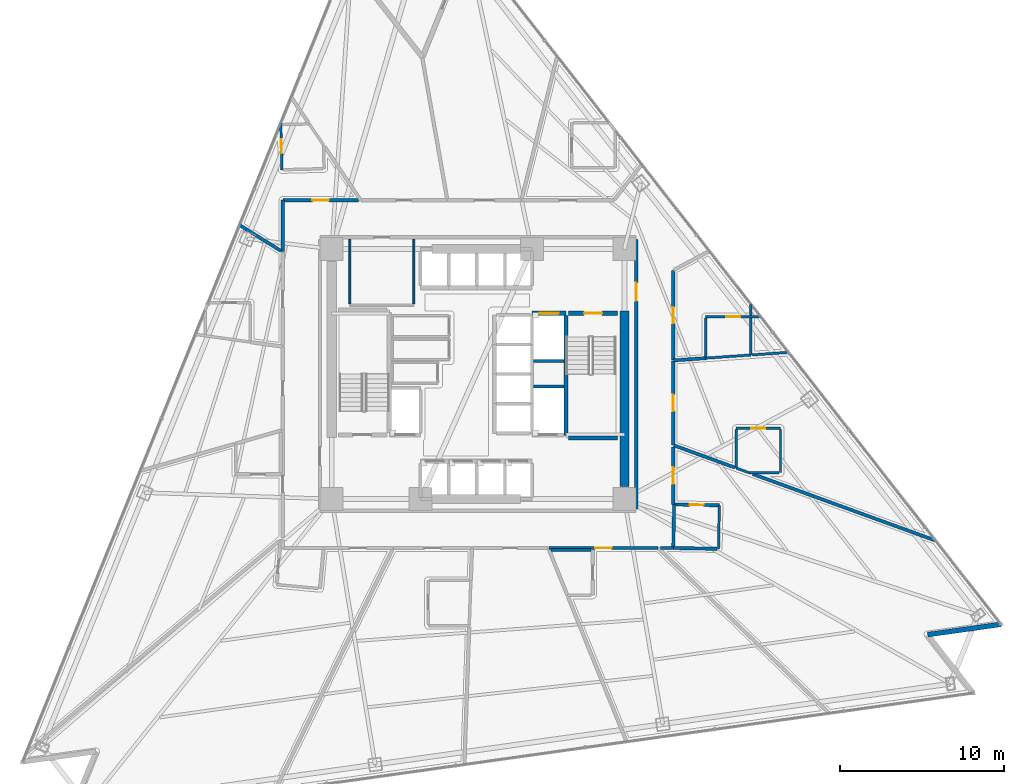
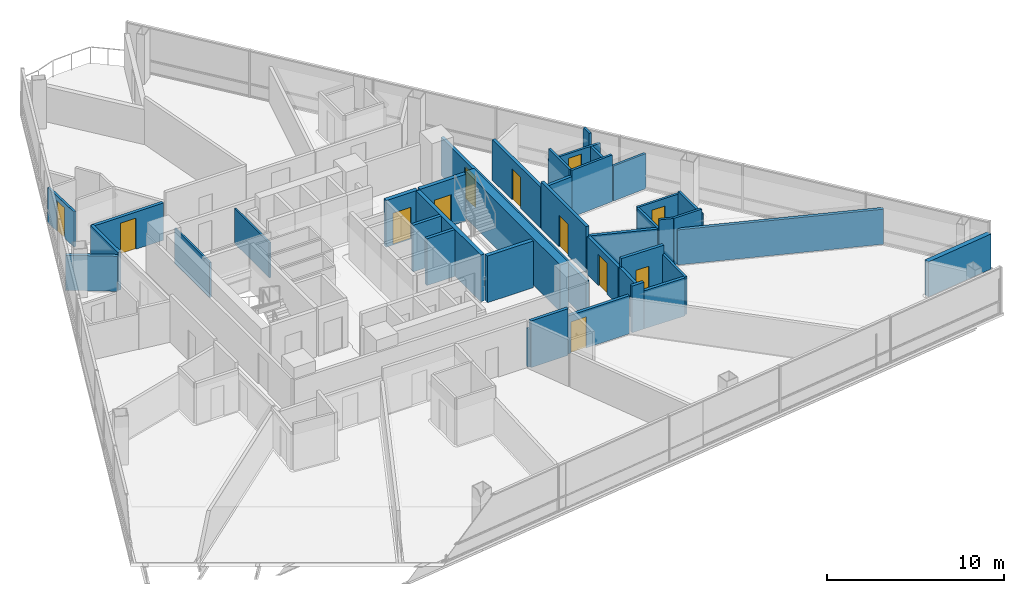
# One storey, part 9 of 15: 39 walls, 12 doors, 12 openings.
"""IFC4 building model written with IfcOpenShell, lengths in metres."""

from ifc_helpers import new_model, si_unit, direction, frame, frame_2d, origin, place, context, subcontext, project, spatial, rectangle, extrude, material, layer, layer_set, type_object, element, fill, save


model = new_model("IFC4")

# Units and contexts
model_context = context("Model", 3, precision=1e-05, world=origin(), true_north=direction((0.0, 1.0)))
body_context = subcontext(model_context, "Body", "Model", "MODEL_VIEW")
ifc_project = project(units=[si_unit("LENGTHUNIT", "METRE"), si_unit("AREAUNIT", "SQUARE_METRE"), si_unit("VOLUMEUNIT", "CUBIC_METRE"), si_unit("PLANEANGLEUNIT", "RADIAN"), si_unit("MASSUNIT", "GRAM", prefix="KILO")], contexts=[model_context])

# Site, building, storey
site_placement = place(None, origin())
site = spatial("IfcSite", under=ifc_project, at=site_placement, CompositionType="ELEMENT")
building_placement = place(site_placement, origin())
building = spatial("IfcBuilding", under=site, at=building_placement, Name="Tharavind Bronze Gate", CompositionType="ELEMENT")
storey_placement = place(building_placement, frame((0.0, 0.0, 60.449951171875)))
storey = spatial("IfcBuildingStorey", under=building, at=storey_placement, Name="L14", CompositionType="ELEMENT", Elevation=60.449951171875)

# Wall
ifc_material_1 = material(Name="Concrete C40/50", Category="concrete")
ifc_layer_1 = layer(ifc_material_1, 0.300048828125)
ifc_layer_set_1 = layer_set([ifc_layer_1], Name="Concrete C40/50")
wall_type_1 = type_object("IfcWallType", Name="EXTERIOR SPANDREL WALL 300", PredefinedType="STANDARD", material=ifc_layer_set_1)
wall_1_placement = place(storey_placement, frame((27.357421875, -15.85302734375, 0.0), z_axis=(0.0, 0.0, 1.0), x_axis=(0.990269200152, 0.139165050317, 0.0)))
element("IfcWall", 1, at=wall_1_placement, inside=storey, type_object=wall_type_1, Name="L14 notch cheek wall 3B", PredefinedType="STANDARD", context=body_context, shape_type="SweptSolid", body=[
    extrude(rectangle(XDim=4.499755859375, YDim=0.300048828125, at=frame_2d((2.25, 0.0))), origin(), (0.0, 0.0, 1.0), 2.420166015625),
])

# Wall, opening, door
ifc_material_2 = material(Name="Aerated Concrete Block", Category="concrete")
ifc_layer_2 = layer(ifc_material_2, 0.199951171875)
ifc_layer_set_2 = layer_set([ifc_layer_2], Name="Aerated Concrete Block")
wall_type_2 = type_object("IfcWallType", Name="FIRE RATED PARTITION 200", PredefinedType="PARTITIONING", material=ifc_layer_set_2)
wall_2_placement = place(storey_placement, frame((9.6201171875, -8.199951171875, 0.0), z_axis=(0.0, 0.0, 1.0), x_axis=(0.0, 1.0, 0.0)))
wall_2 = element("IfcWall", 2, at=wall_2_placement, inside=storey, type_object=wall_type_2, Name="L14 east core corridor wall", PredefinedType="PARTITIONING", context=body_context, shape_type="SweptSolid", body=[
    extrude(rectangle(XDim=16.39990234375, YDim=0.199951171875, at=frame_2d((8.199951171875, 0.0))), origin(), (0.0, 0.0, 1.0), 2.6201171875),
])
opening_1_placement = place(wall_2_placement, frame((12.64990234375, 0.0, 0.0)))
opening_1 = element("IfcOpeningElement", 3, at=opening_1_placement, cuts=wall_2, Name="Opening ID01", PredefinedType="OPENING", context=body_context, shape_type="SweptSolid", body=[
    extrude(rectangle(XDim=1.10009765625, YDim=2.14990234375, at=frame_2d((0.550048828125, 1.074951171875))), frame((0.0, 0.11009765625, 0.0), z_axis=(0.0, -1.0, 0.0), x_axis=(1.0, 0.0, 0.0)), (0.0, 0.0, 1.0), 0.219951171875),
])
ifc_material_3 = material(Name="Fire-Rated Steel", Category="steel")
door_type_1 = type_object("IfcDoorType", Name="STAIR CORE FIRE DOOR 1100X2150", OperationType="SINGLE_SWING_LEFT", PredefinedType="DOOR", material=ifc_material_3)
door_1_placement = place(opening_1_placement, frame((1.10009765625, 0.0, 0.0), z_axis=(0.0, 0.0, 1.0), x_axis=(-1.0, 0.0, 0.0)))
door_1 = element("IfcDoor", 4, at=door_1_placement, inside=storey, type_object=door_type_1, Name="L14 north east stair lobby fire door", OperationType="SINGLE_SWING_LEFT", OverallHeight=2.14990234375, OverallWidth=1.10009765625, PredefinedType="DOOR", context=body_context, shape_type="SweptSolid", body=[
    extrude(rectangle(XDim=1.10009765625, YDim=2.14990234375, at=frame_2d((0.550048828125, 1.074951171875))), frame((0.0, 0.02490234375, 0.0), z_axis=(0.0, -1.0, 0.0), x_axis=(1.0, 0.0, 0.0)), (0.0, 0.0, 1.0), 0.050048828125),
])
fill(opening_1, door_1)

# Wall
wall_3_placement = place(storey_placement, frame((4.436279296875, -10.699951171875, 0.0), z_axis=(0.0, 0.0, 1.0), x_axis=(1.0, 0.0, 0.0)))
element("IfcWall", 5, at=wall_3_placement, inside=storey, type_object=wall_type_2, Name="L14 En-Suite Bathroom partition", PredefinedType="PARTITIONING", context=body_context, shape_type="SweptSolid", body=[
    extrude(rectangle(XDim=2.431884765625, YDim=0.199951171875, at=frame_2d((1.2158203125, 0.0))), origin(), (0.0, 0.0, 1.0), 3.22509765625),
])

# Wall, opening, door
wall_4_placement = place(storey_placement, frame((11.93115234375, -7.930419921875, 0.0), z_axis=(0.0, 0.0, 1.0), x_axis=(0.999812703389, -0.019353504647, 0.0)))
wall_4 = element("IfcWall", 6, at=wall_4_placement, inside=storey, type_object=wall_type_2, Name="L14 En-Suite Bathroom partition", PredefinedType="PARTITIONING", context=body_context, shape_type="SweptSolid", body=[
    extrude(rectangle(XDim=2.75, YDim=0.199951171875, at=frame_2d((1.375, 0.0))), origin(), (0.0, 0.0, 1.0), 3.22509765625),
])
opening_2_placement = place(wall_4_placement, frame((0.949951171875, 0.0, 0.0)))
opening_2 = element("IfcOpeningElement", 7, at=opening_2_placement, cuts=wall_4, Name="Opening ID06", PredefinedType="OPENING", context=body_context, shape_type="SweptSolid", body=[
    extrude(rectangle(XDim=0.85009765625, YDim=2.10009765625, at=frame_2d((0.425048828125, 1.050048828125))), frame((0.0, 0.11009765625, 0.0), z_axis=(0.0, -1.0, 0.0), x_axis=(1.0, 0.0, 0.0)), (0.0, 0.0, 1.0), 0.219951171875),
])
ifc_material_4 = material(Name="Moisture-Resistant Timber", Category="wood")
door_type_2 = type_object("IfcDoorType", Name="BATHROOM PRIVACY DOOR 850X2100", OperationType="SINGLE_SWING_RIGHT", PredefinedType="DOOR", material=ifc_material_4)
door_2_placement = place(opening_2_placement, origin())
door_2 = element("IfcDoor", 8, at=door_2_placement, inside=storey, type_object=door_type_2, Name="L14 En-Suite Bathroom door", OperationType="SINGLE_SWING_RIGHT", OverallHeight=2.10009765625, OverallWidth=0.85009765625, PredefinedType="DOOR", context=body_context, shape_type="SweptSolid", body=[
    extrude(rectangle(XDim=0.85009765625, YDim=2.10009765625, at=frame_2d((0.425048828125, 1.050048828125))), frame((0.0, 0.02490234375, 0.0), z_axis=(0.0, -1.0, 0.0), x_axis=(1.0, 0.0, 0.0)), (0.0, 0.0, 1.0), 0.050048828125),
])
fill(opening_2, door_2)

# Walls
wall_5_placement = place(storey_placement, frame((14.549560546875, -10.631591796875, 0.0), z_axis=(0.0, 0.0, 1.0), x_axis=(-0.999813887268, 0.019292247848, 0.0)))
element("IfcWall", 9, at=wall_5_placement, inside=storey, type_object=wall_type_2, Name="L14 En-Suite Bathroom partition", PredefinedType="PARTITIONING", context=body_context, shape_type="SweptSolid", body=[
    extrude(rectangle(XDim=2.670166015625, YDim=0.199951171875, at=frame_2d((1.3349609375, 0.0))), origin(), (0.0, 0.0, 1.0), 2.6201171875),
])
wall_6_placement = place(storey_placement, frame((11.8798828125, -10.57861328125, 0.0), z_axis=(0.0, 0.0, 1.0), x_axis=(0.019356564513, 0.999812644154, 0.0)))
element("IfcWall", 10, at=wall_6_placement, inside=storey, type_object=wall_type_2, Name="L14 En-Suite Bathroom partition", PredefinedType="PARTITIONING", context=body_context, shape_type="SweptSolid", body=[
    extrude(rectangle(XDim=2.648681640625, YDim=0.199951171875, at=frame_2d((1.32421875, 0.0))), origin(), (0.0, 0.0, 1.0), 2.6201171875),
])
wall_7_placement = place(storey_placement, frame((13.85009765625, 0.968505859375, 0.0), z_axis=(0.0, 0.0, 1.0), x_axis=(-0.997560712778, -0.069804185555, 0.0)))
element("IfcWall", 11, at=wall_7_placement, inside=storey, type_object=wall_type_2, Name="L14 Royal Hotel Suite partition", PredefinedType="PARTITIONING", context=body_context, shape_type="SweptSolid", body=[
    extrude(rectangle(XDim=1.947998046875, YDim=0.199951171875, at=frame_2d((0.97412109375, 0.0))), origin(), (0.0, 0.0, 1.0), 2.820068359375),
])

# Wall, opening, door
wall_8_placement = place(storey_placement, frame((11.8798828125, 0.857421875, 0.0), z_axis=(0.0, 0.0, 1.0), x_axis=(0.0, 1.0, 0.0)))
wall_8 = element("IfcWall", 12, at=wall_8_placement, inside=storey, type_object=wall_type_2, Name="L14 Royal Hotel Suite partition", PredefinedType="PARTITIONING", context=body_context, shape_type="SweptSolid", body=[
    extrude(rectangle(XDim=5.4443359375, YDim=0.199951171875, at=frame_2d((2.72216796875, 0.0))), origin(), (0.0, 0.0, 1.0), 2.820068359375),
])
opening_3_placement = place(wall_8_placement, frame((2.221923828125, 0.0, 0.0)))
opening_3 = element("IfcOpeningElement", 13, at=opening_3_placement, cuts=wall_8, Name="Opening ID03", PredefinedType="OPENING", context=body_context, shape_type="SweptSolid", body=[
    extrude(rectangle(XDim=1.0, YDim=2.14990234375, at=frame_2d((0.5, 1.074951171875))), frame((0.0, 0.11009765625, 0.0), z_axis=(0.0, -1.0, 0.0), x_axis=(1.0, 0.0, 0.0)), (0.0, 0.0, 1.0), 0.219951171875),
])
ifc_material_5 = material(Name="Solid Timber Veneer", Category="wood")
door_type_3 = type_object("IfcDoorType", Name="HOTEL SUITE ENTRANCE DOOR 1000X2150", OperationType="SINGLE_SWING_LEFT", PredefinedType="DOOR", material=ifc_material_5)
door_3_placement = place(opening_3_placement, origin())
door_3 = element("IfcDoor", 14, at=door_3_placement, inside=storey, type_object=door_type_3, Name="L14 Royal Hotel Suite door", OperationType="SINGLE_SWING_LEFT", OverallHeight=2.14990234375, OverallWidth=1.0, PredefinedType="DOOR", context=body_context, shape_type="SweptSolid", body=[
    extrude(rectangle(XDim=1.0, YDim=2.14990234375, at=frame_2d((0.5, 1.074951171875))), frame((0.0, 0.02490234375, 0.0), z_axis=(0.0, -1.0, 0.0), x_axis=(1.0, 0.0, 0.0)), (0.0, 0.0, 1.0), 0.050048828125),
])
fill(opening_3, door_3)

# Walls
wall_9_placement = place(storey_placement, frame((-11.8798828125, 10.579345703125, 0.0), z_axis=(0.0, 0.0, 1.0), x_axis=(0.0, -1.0, 0.0)))
element("IfcWall", 15, at=wall_9_placement, inside=storey, type_object=wall_type_2, Name="L14 Hotel Guest Room partition", PredefinedType="PARTITIONING", context=body_context, shape_type="SweptSolid", body=[
    extrude(rectangle(XDim=3.11083984375, YDim=0.199951171875, at=frame_2d((1.555419921875, 0.0))), origin(), (0.0, 0.0, 1.0), 2.6201171875),
])
wall_10_placement = place(storey_placement, frame((-11.985107421875, 7.489013671875, 0.0), z_axis=(0.0, 0.0, 1.0), x_axis=(-0.84801684821, 0.52996926812, 0.0)))
element("IfcWall", 16, at=wall_10_placement, inside=storey, type_object=wall_type_2, Name="L14 Hotel Guest Room partition", PredefinedType="PARTITIONING", context=body_context, shape_type="SweptSolid", body=[
    extrude(rectangle(XDim=2.95849609375, YDim=0.199951171875, at=frame_2d((1.479248046875, 0.0))), origin(), (0.0, 0.0, 1.0), 2.420166015625),
])

# Wall, opening, door
wall_11_placement = place(storey_placement, frame((-7.262939453125, 10.580078125, 0.0), z_axis=(0.0, 0.0, 1.0), x_axis=(-1.0, 0.0, 0.0)))
wall_11 = element("IfcWall", 17, at=wall_11_placement, inside=storey, type_object=wall_type_2, Name="L14 Hotel Guest Room partition", PredefinedType="PARTITIONING", context=body_context, shape_type="SweptSolid", body=[
    extrude(rectangle(XDim=4.616455078125, YDim=0.199951171875, at=frame_2d((2.30810546875, 0.0))), origin(), (0.0, 0.0, 1.0), 2.570068359375),
])
opening_4_placement = place(wall_11_placement, frame((1.80810546875, 0.0, 0.0)))
opening_4 = element("IfcOpeningElement", 18, at=opening_4_placement, cuts=wall_11, Name="Opening ID03", PredefinedType="OPENING", context=body_context, shape_type="SweptSolid", body=[
    extrude(rectangle(XDim=1.0, YDim=2.14990234375, at=frame_2d((0.5, 1.074951171875))), frame((0.0, 0.11009765625, 0.0), z_axis=(0.0, -1.0, 0.0), x_axis=(1.0, 0.0, 0.0)), (0.0, 0.0, 1.0), 0.219951171875),
])
door_4_placement = place(opening_4_placement, origin())
door_4 = element("IfcDoor", 19, at=door_4_placement, inside=storey, type_object=door_type_3, Name="L14 Hotel Guest Room door", OperationType="SINGLE_SWING_LEFT", OverallHeight=2.14990234375, OverallWidth=1.0, PredefinedType="DOOR", context=body_context, shape_type="SweptSolid", body=[
    extrude(rectangle(XDim=1.0, YDim=2.14990234375, at=frame_2d((0.5, 1.074951171875))), frame((0.0, 0.02490234375, 0.0), z_axis=(0.0, -1.0, 0.0), x_axis=(1.0, 0.0, 0.0)), (0.0, 0.0, 1.0), 0.050048828125),
])
fill(opening_4, door_4)

wall_12_placement = place(storey_placement, frame((4.311767578125, -10.580078125, 0.0), z_axis=(0.0, 0.0, 1.0), x_axis=(1.0, 0.0, 0.0)))
wall_12 = element("IfcWall", 20, at=wall_12_placement, inside=storey, type_object=wall_type_2, Name="L14 Corner Hotel Suite partition", PredefinedType="PARTITIONING", context=body_context, shape_type="SweptSolid", body=[
    extrude(rectangle(XDim=6.634033203125, YDim=0.199951171875, at=frame_2d((3.31689453125, 0.0))), origin(), (0.0, 0.0, 1.0), 2.6201171875),
])
opening_5_placement = place(wall_12_placement, frame((2.81689453125, 0.0, 0.0)))
opening_5 = element("IfcOpeningElement", 21, at=opening_5_placement, cuts=wall_12, Name="Opening ID03", PredefinedType="OPENING", context=body_context, shape_type="SweptSolid", body=[
    extrude(rectangle(XDim=1.0, YDim=2.14990234375, at=frame_2d((0.5, 1.074951171875))), frame((0.0, 0.11009765625, 0.0), z_axis=(0.0, -1.0, 0.0), x_axis=(1.0, 0.0, 0.0)), (0.0, 0.0, 1.0), 0.219951171875),
])
door_5_placement = place(opening_5_placement, origin())
door_5 = element("IfcDoor", 22, at=door_5_placement, inside=storey, type_object=door_type_3, Name="L14 Corner Hotel Suite door", OperationType="SINGLE_SWING_LEFT", OverallHeight=2.14990234375, OverallWidth=1.0, PredefinedType="DOOR", context=body_context, shape_type="SweptSolid", body=[
    extrude(rectangle(XDim=1.0, YDim=2.14990234375, at=frame_2d((0.5, 1.074951171875))), frame((0.0, 0.02490234375, 0.0), z_axis=(0.0, -1.0, 0.0), x_axis=(1.0, 0.0, 0.0)), (0.0, 0.0, 1.0), 0.050048828125),
])
fill(opening_5, door_5)

# Walls
wall_13_placement = place(storey_placement, frame((11.91357421875, -4.336181640625, 0.0), z_axis=(0.0, 0.0, 1.0), x_axis=(0.939701284088, -0.341996340161, 0.0)))
element("IfcWall", 23, at=wall_13_placement, inside=storey, type_object=wall_type_2, Name="L14 Deluxe Hotel Suite partition", PredefinedType="PARTITIONING", context=body_context, shape_type="SweptSolid", body=[
    extrude(rectangle(XDim=3.947021484375, YDim=0.199951171875, at=frame_2d((1.9736328125, 0.0))), origin(), (0.0, 0.0, 1.0), 2.6201171875),
])
wall_14_placement = place(storey_placement, frame((16.710205078125, -6.08203125, 0.0), z_axis=(0.0, 0.0, 1.0), x_axis=(0.939695147998, -0.342013199789, 0.0)))
element("IfcWall", 24, at=wall_14_placement, inside=storey, type_object=wall_type_2, Name="L14 Deluxe Hotel Suite partition", PredefinedType="PARTITIONING", context=body_context, shape_type="SweptSolid", body=[
    extrude(rectangle(XDim=11.827392578125, YDim=0.199951171875, at=frame_2d((5.91357421875, 0.0))), origin(), (0.0, 0.0, 1.0), 2.420166015625),
])
wall_15_placement = place(storey_placement, frame((11.107177734375, -10.580078125, 0.0), z_axis=(0.0, 0.0, 1.0), x_axis=(1.0, 0.0, 0.0)))
element("IfcWall", 25, at=wall_15_placement, inside=storey, type_object=wall_type_2, Name="L14 Deluxe Hotel Suite partition", PredefinedType="PARTITIONING", context=body_context, shape_type="SweptSolid", body=[
    extrude(rectangle(XDim=0.772216796875, YDim=0.199951171875, at=frame_2d((0.38623046875, 0.0))), origin(), (0.0, 0.0, 1.0), 3.22509765625),
])

# Wall, opening, door
wall_16_placement = place(storey_placement, frame((11.8798828125, -7.929443359375, 0.0), z_axis=(0.0, 0.0, 1.0), x_axis=(0.0, 1.0, 0.0)))
wall_16 = element("IfcWall", 26, at=wall_16_placement, inside=storey, type_object=wall_type_2, Name="L14 Deluxe Hotel Suite partition", PredefinedType="PARTITIONING", context=body_context, shape_type="SweptSolid", body=[
    extrude(rectangle(XDim=3.49365234375, YDim=0.199951171875, at=frame_2d((1.746826171875, 0.0))), origin(), (0.0, 0.0, 1.0), 2.6201171875),
])
opening_6_placement = place(wall_16_placement, frame((1.2470703125, 0.0, 0.0)))
opening_6 = element("IfcOpeningElement", 27, at=opening_6_placement, cuts=wall_16, Name="Opening ID03", PredefinedType="OPENING", context=body_context, shape_type="SweptSolid", body=[
    extrude(rectangle(XDim=1.0, YDim=2.14990234375, at=frame_2d((0.5, 1.074951171875))), frame((0.0, 0.11009765625, 0.0), z_axis=(0.0, -1.0, 0.0), x_axis=(1.0, 0.0, 0.0)), (0.0, 0.0, 1.0), 0.219951171875),
])
door_6_placement = place(opening_6_placement, origin())
door_6 = element("IfcDoor", 28, at=door_6_placement, inside=storey, type_object=door_type_3, Name="L14 Deluxe Hotel Suite door", OperationType="SINGLE_SWING_LEFT", OverallHeight=2.14990234375, OverallWidth=1.0, PredefinedType="DOOR", context=body_context, shape_type="SweptSolid", body=[
    extrude(rectangle(XDim=1.0, YDim=2.14990234375, at=frame_2d((0.5, 1.074951171875))), frame((0.0, 0.02490234375, 0.0), z_axis=(0.0, -1.0, 0.0), x_axis=(1.0, 0.0, 0.0)), (0.0, 0.0, 1.0), 0.050048828125),
])
fill(opening_6, door_6)

wall_17_placement = place(storey_placement, frame((11.8798828125, -4.306396484375, 0.0), z_axis=(0.0, 0.0, 1.0), x_axis=(0.0, 1.0, 0.0)))
wall_17 = element("IfcWall", 29, at=wall_17_placement, inside=storey, type_object=wall_type_2, Name="L14 Deluxe Hotel Suite partition", PredefinedType="PARTITIONING", context=body_context, shape_type="SweptSolid", body=[
    extrude(rectangle(XDim=5.11376953125, YDim=0.199951171875, at=frame_2d((2.556884765625, 0.0))), origin(), (0.0, 0.0, 1.0), 3.22509765625),
])
opening_7_placement = place(wall_17_placement, frame((2.056884765625, 0.0, 0.0)))
opening_7 = element("IfcOpeningElement", 30, at=opening_7_placement, cuts=wall_17, Name="Opening ID03", PredefinedType="OPENING", context=body_context, shape_type="SweptSolid", body=[
    extrude(rectangle(XDim=1.0, YDim=2.14990234375, at=frame_2d((0.5, 1.074951171875))), frame((0.0, 0.11009765625, 0.0), z_axis=(0.0, -1.0, 0.0), x_axis=(1.0, 0.0, 0.0)), (0.0, 0.0, 1.0), 0.219951171875),
])
door_7_placement = place(opening_7_placement, origin())
door_7 = element("IfcDoor", 31, at=door_7_placement, inside=storey, type_object=door_type_3, Name="L14 Deluxe Hotel Suite door", OperationType="SINGLE_SWING_LEFT", OverallHeight=2.14990234375, OverallWidth=1.0, PredefinedType="DOOR", context=body_context, shape_type="SweptSolid", body=[
    extrude(rectangle(XDim=1.0, YDim=2.14990234375, at=frame_2d((0.5, 1.074951171875))), frame((0.0, 0.02490234375, 0.0), z_axis=(0.0, -1.0, 0.0), x_axis=(1.0, 0.0, 0.0)), (0.0, 0.0, 1.0), 0.050048828125),
])
fill(opening_7, door_7)

# Walls
ifc_material_6 = material(Name="Metal Stud Gypsum Partition", Category="gypsum")
ifc_layer_3 = layer(ifc_material_6, 0.1201171875)
ifc_layer_set_3 = layer_set([ifc_layer_3], Name="Metal Stud Gypsum Partition")
wall_type_3 = type_object("IfcWallType", Name="INTERIOR PARTITION WALL 120", PredefinedType="PARTITIONING", material=ifc_layer_set_3)
for number, where, z_axis, x_axis, name in (
    (32, (-3.89990234375, 4.264892578125, 0.0), (0.0, 0.0, 1.0), (0.0, 1.0, 0.0), "L14 Electrical Switch Room partition 2"),
    (33, (-7.800048828125, 8.215087890625, 0.0), (0.0, 0.0, 1.0), (0.0, -1.0, 0.0), "L14 Electrical Switch Room partition 4"),
):
    element("IfcWall", number, at=place(storey_placement, frame(where, z_axis=z_axis, x_axis=x_axis)), inside=storey, type_object=wall_type_3, Name=name, PredefinedType="PARTITIONING", context=body_context, shape_type="SweptSolid", body=[
        extrude(rectangle(XDim=3.9501953125, YDim=0.1201171875, at=frame_2d((1.97509765625, 0.0))), origin(), (0.0, 0.0, 1.0), 2.420166015625),
    ])

# Wall, opening, door
ifc_material_7 = material(Name="Twin Stud Acoustic Gypsum", Category="gypsum")
ifc_layer_4 = layer(ifc_material_7, 0.14990234375)
ifc_layer_set_4 = layer_set([ifc_layer_4], Name="Twin Stud Acoustic Gypsum")
wall_type_4 = type_object("IfcWallType", Name="INTERIOR PARTITION WALL 150", PredefinedType="PARTITIONING", material=ifc_layer_set_4)
wall_18_placement = place(storey_placement, frame((13.85009765625, 3.489013671875, 0.0), z_axis=(0.0, 0.0, 1.0), x_axis=(1.0, 0.0, 0.0)))
wall_18 = element("IfcWall", 34, at=wall_18_placement, inside=storey, type_object=wall_type_4, Name="L14 En-Suite Bathroom partition", PredefinedType="PARTITIONING", context=body_context, shape_type="SweptSolid", body=[
    extrude(rectangle(XDim=3.3408203125, YDim=0.14990234375, at=frame_2d((1.67041015625, 0.0))), origin(), (0.0, 0.0, 1.0), 2.420166015625),
])
opening_8_placement = place(wall_18_placement, frame((1.2451171875, 0.0, 0.0)))
opening_8 = element("IfcOpeningElement", 35, at=opening_8_placement, cuts=wall_18, Name="Opening ID06", PredefinedType="OPENING", context=body_context, shape_type="SweptSolid", body=[
    extrude(rectangle(XDim=0.85009765625, YDim=2.10009765625, at=frame_2d((0.425048828125, 1.050048828125))), frame((0.0, 0.084951171875, 0.0), z_axis=(0.0, -1.0, 0.0), x_axis=(1.0, 0.0, 0.0)), (0.0, 0.0, 1.0), 0.16990234375),
])
door_8_placement = place(opening_8_placement, origin())
door_8 = element("IfcDoor", 36, at=door_8_placement, inside=storey, type_object=door_type_2, Name="L14 En-Suite Bathroom door", OperationType="SINGLE_SWING_RIGHT", OverallHeight=2.10009765625, OverallWidth=0.85009765625, PredefinedType="DOOR", context=body_context, shape_type="SweptSolid", body=[
    extrude(rectangle(XDim=0.85009765625, YDim=2.10009765625, at=frame_2d((0.425048828125, 1.050048828125))), frame((0.0, 0.02490234375, 0.0), z_axis=(0.0, -1.0, 0.0), x_axis=(1.0, 0.0, 0.0)), (0.0, 0.0, 1.0), 0.050048828125),
])
fill(opening_8, door_8)

# Walls
wall_19_placement = place(storey_placement, frame((16.60009765625, 4.24560546875, 0.0), z_axis=(0.0, 0.0, 1.0), x_axis=(0.0, -1.0, 0.0)))
element("IfcWall", 37, at=wall_19_placement, inside=storey, type_object=wall_type_4, Name="L14 En-Suite Bathroom partition", PredefinedType="PARTITIONING", context=body_context, shape_type="SweptSolid", body=[
    extrude(rectangle(XDim=0.676513671875, YDim=0.14990234375, at=frame_2d((0.33837890625, 0.0))), origin(), (0.0, 0.0, 1.0), 3.22509765625),
])
wall_20_placement = place(storey_placement, frame((16.60009765625, 3.4091796875, 0.0), z_axis=(0.0, 0.0, 1.0), x_axis=(0.0, -1.0, 0.0)))
element("IfcWall", 38, at=wall_20_placement, inside=storey, type_object=wall_type_4, Name="L14 En-Suite Bathroom partition", PredefinedType="PARTITIONING", context=body_context, shape_type="SweptSolid", body=[
    extrude(rectangle(XDim=2.248291015625, YDim=0.14990234375, at=frame_2d((1.1240234375, 0.0))), origin(), (0.0, 0.0, 1.0), 2.420166015625),
])
wall_21_placement = place(storey_placement, frame((16.60009765625, 1.160888671875, 0.0), z_axis=(0.0, 0.0, 1.0), x_axis=(-0.997561927417, -0.069786825178, 0.0)))
element("IfcWall", 39, at=wall_21_placement, inside=storey, type_object=wall_type_4, Name="L14 En-Suite Bathroom partition", PredefinedType="PARTITIONING", context=body_context, shape_type="SweptSolid", body=[
    extrude(rectangle(XDim=2.7568359375, YDim=0.14990234375, at=frame_2d((1.37841796875, 0.0))), origin(), (0.0, 0.0, 1.0), 3.22509765625),
])
wall_22_placement = place(storey_placement, frame((13.85009765625, 1.048583984375, 0.0), z_axis=(0.0, 0.0, 1.0), x_axis=(0.0, 1.0, 0.0)))
element("IfcWall", 40, at=wall_22_placement, inside=storey, type_object=wall_type_4, Name="L14 En-Suite Bathroom partition", PredefinedType="PARTITIONING", context=body_context, shape_type="SweptSolid", body=[
    extrude(rectangle(XDim=2.360595703125, YDim=0.14990234375, at=frame_2d((1.18017578125, 0.0))), origin(), (0.0, 0.0, 1.0), 3.22509765625),
])

# Wall, opening, door
wall_23_placement = place(storey_placement, frame((-11.927490234375, 12.429443359375, 0.0), z_axis=(0.0, 0.0, 1.0), x_axis=(-0.025753181092, 0.99966833183, 0.0)))
wall_23 = element("IfcWall", 41, at=wall_23_placement, inside=storey, type_object=wall_type_4, Name="L14 En-Suite Bathroom partition", PredefinedType="PARTITIONING", context=body_context, shape_type="SweptSolid", body=[
    extrude(rectangle(XDim=2.853515625, YDim=0.14990234375, at=frame_2d((1.4267578125, 0.0))), origin(), (0.0, 0.0, 1.0), 2.420166015625),
])
opening_9_placement = place(wall_23_placement, frame((1.001953125, 0.0, 0.0)))
opening_9 = element("IfcOpeningElement", 42, at=opening_9_placement, cuts=wall_23, Name="Opening ID06", PredefinedType="OPENING", context=body_context, shape_type="SweptSolid", body=[
    extrude(rectangle(XDim=0.85009765625, YDim=2.10009765625, at=frame_2d((0.425048828125, 1.050048828125))), frame((0.0, 0.084951171875, 0.0), z_axis=(0.0, -1.0, 0.0), x_axis=(1.0, 0.0, 0.0)), (0.0, 0.0, 1.0), 0.16990234375),
])
door_9_placement = place(opening_9_placement, origin())
door_9 = element("IfcDoor", 43, at=door_9_placement, inside=storey, type_object=door_type_2, Name="L14 En-Suite Bathroom door", OperationType="SINGLE_SWING_RIGHT", OverallHeight=2.10009765625, OverallWidth=0.85009765625, PredefinedType="DOOR", context=body_context, shape_type="SweptSolid", body=[
    extrude(rectangle(XDim=0.85009765625, YDim=2.10009765625, at=frame_2d((0.425048828125, 1.050048828125))), frame((0.0, 0.02490234375, 0.0), z_axis=(0.0, -1.0, 0.0), x_axis=(1.0, 0.0, 0.0)), (0.0, 0.0, 1.0), 0.050048828125),
])
fill(opening_9, door_9)

# Wall
wall_24_placement = place(storey_placement, frame((14.6806640625, -7.983642578125, 0.0), z_axis=(0.0, 0.0, 1.0), x_axis=(-0.01934764942, -0.999812816712, 0.0)))
element("IfcWall", 44, at=wall_24_placement, inside=storey, type_object=wall_type_4, Name="L14 En-Suite Bathroom partition", PredefinedType="PARTITIONING", context=body_context, shape_type="SweptSolid", body=[
    extrude(rectangle(XDim=2.64990234375, YDim=0.14990234375, at=frame_2d((1.324951171875, 0.0))), origin(), (0.0, 0.0, 1.0), 2.6201171875),
])

# Wall, opening, door
wall_25_placement = place(storey_placement, frame((15.702392578125, -3.302001953125, 0.0), z_axis=(0.0, 0.0, 1.0), x_axis=(1.0, 0.0, 0.0)))
wall_25 = element("IfcWall", 45, at=wall_25_placement, inside=storey, type_object=wall_type_4, Name="L14 En-Suite Bathroom partition", PredefinedType="PARTITIONING", context=body_context, shape_type="SweptSolid", body=[
    extrude(rectangle(XDim=2.7001953125, YDim=0.14990234375, at=frame_2d((1.35009765625, 0.0))), origin(), (0.0, 0.0, 1.0), 2.6201171875),
])
opening_10_placement = place(wall_25_placement, frame((0.925048828125, 0.0, 0.0)))
opening_10 = element("IfcOpeningElement", 46, at=opening_10_placement, cuts=wall_25, Name="Opening ID06", PredefinedType="OPENING", context=body_context, shape_type="SweptSolid", body=[
    extrude(rectangle(XDim=0.85009765625, YDim=2.10009765625, at=frame_2d((0.425048828125, 1.050048828125))), frame((0.0, 0.084951171875, 0.0), z_axis=(0.0, -1.0, 0.0), x_axis=(1.0, 0.0, 0.0)), (0.0, 0.0, 1.0), 0.16990234375),
])
door_10_placement = place(opening_10_placement, origin())
door_10 = element("IfcDoor", 47, at=door_10_placement, inside=storey, type_object=door_type_2, Name="L14 En-Suite Bathroom door", OperationType="SINGLE_SWING_RIGHT", OverallHeight=2.10009765625, OverallWidth=0.85009765625, PredefinedType="DOOR", context=body_context, shape_type="SweptSolid", body=[
    extrude(rectangle(XDim=0.85009765625, YDim=2.10009765625, at=frame_2d((0.425048828125, 1.050048828125))), frame((0.0, 0.02490234375, 0.0), z_axis=(0.0, -1.0, 0.0), x_axis=(1.0, 0.0, 0.0)), (0.0, 0.0, 1.0), 0.050048828125),
])
fill(opening_10, door_10)

# Walls
wall_26_placement = place(storey_placement, frame((18.402587890625, -3.382080078125, 0.0), z_axis=(0.0, 0.0, 1.0), x_axis=(0.0, -1.0, 0.0)))
element("IfcWall", 48, at=wall_26_placement, inside=storey, type_object=wall_type_4, Name="L14 En-Suite Bathroom partition", PredefinedType="PARTITIONING", context=body_context, shape_type="SweptSolid", body=[
    extrude(rectangle(XDim=2.619873046875, YDim=0.14990234375, at=frame_2d((1.31005859375, 0.0))), origin(), (0.0, 0.0, 1.0), 2.820068359375),
])
wall_27_placement = place(storey_placement, frame((18.322509765625, -6.001953125, 0.0), z_axis=(0.0, 0.0, 1.0), x_axis=(-1.0, 0.0, 0.0)))
element("IfcWall", 49, at=wall_27_placement, inside=storey, type_object=wall_type_4, Name="L14 En-Suite Bathroom partition", PredefinedType="PARTITIONING", context=body_context, shape_type="SweptSolid", body=[
    extrude(rectangle(XDim=1.83203125, YDim=0.14990234375, at=frame_2d((0.916015625, 0.0))), origin(), (0.0, 0.0, 1.0), 3.22509765625),
])
wall_28_placement = place(storey_placement, frame((16.490478515625, -6.001953125, 0.0), z_axis=(0.0, 0.0, 1.0), x_axis=(-0.939682882436, 0.342046898037, 0.0)))
element("IfcWall", 50, at=wall_28_placement, inside=storey, type_object=wall_type_4, Name="L14 En-Suite Bathroom partition", PredefinedType="PARTITIONING", context=body_context, shape_type="SweptSolid", body=[
    extrude(rectangle(XDim=0.838623046875, YDim=0.14990234375, at=frame_2d((0.41943359375, 0.0))), origin(), (0.0, 0.0, 1.0), 3.22509765625),
])
wall_29_placement = place(storey_placement, frame((15.702392578125, -5.715087890625, 0.0), z_axis=(0.0, 0.0, 1.0), x_axis=(0.0, 1.0, 0.0)))
element("IfcWall", 51, at=wall_29_placement, inside=storey, type_object=wall_type_4, Name="L14 En-Suite Bathroom partition", PredefinedType="PARTITIONING", context=body_context, shape_type="SweptSolid", body=[
    extrude(rectangle(XDim=2.3330078125, YDim=0.14990234375, at=frame_2d((1.16650390625, 0.0))), origin(), (0.0, 0.0, 1.0), 2.6201171875),
])
wall_30_placement = place(storey_placement, frame((18.88525390625, 1.320556640625, 0.0), z_axis=(0.0, 0.0, 1.0), x_axis=(-0.997569034361, -0.069685161152, 0.0)))
element("IfcWall", 52, at=wall_30_placement, inside=storey, type_object=wall_type_4, Name="L14 Royal Hotel Suite partition", PredefinedType="PARTITIONING", context=body_context, shape_type="SweptSolid", body=[
    extrude(rectangle(XDim=2.210693359375, YDim=0.14990234375, at=frame_2d((1.10546875, 0.0))), origin(), (0.0, 0.0, 1.0), 2.420166015625),
])
ifc_material_8 = material(Name="Concrete C50/60", Category="concrete")
ifc_layer_5 = layer(ifc_material_8, 0.25)
ifc_layer_set_5 = layer_set([ifc_layer_5], Name="Concrete C50/60")
wall_type_5 = type_object("IfcWallType", Name="RC CORE SHEAR WALL 250", PredefinedType="SHEAR", material=ifc_layer_set_5)
wall_31_placement = place(storey_placement, frame((5.35009765625, -3.75, 0.0), z_axis=(0.0, 0.0, 1.0), x_axis=(0.0, 1.0, 0.0)))
element("IfcWall", 53, at=wall_31_placement, inside=storey, type_object=wall_type_5, Name="L14 ST2 shaft west wall", PredefinedType="SHEAR", context=body_context, shape_type="SweptSolid", body=[
    extrude(rectangle(XDim=7.300048828125, YDim=0.25, at=frame_2d((3.64990234375, 0.0))), origin(), (0.0, 0.0, 1.0), 3.22509765625),
])

# Wall, opening, door
wall_32_placement = place(storey_placement, frame((5.5, 3.699951171875, 0.0), z_axis=(0.0, 0.0, 1.0), x_axis=(1.0, 0.0, 0.0)))
wall_32 = element("IfcWall", 54, at=wall_32_placement, inside=storey, type_object=wall_type_5, Name="L14 ST2 shaft north wall", PredefinedType="SHEAR", context=body_context, shape_type="SweptSolid", body=[
    extrude(rectangle(XDim=3.0, YDim=0.25, at=frame_2d((1.5, 0.0))), origin(), (0.0, 0.0, 1.0), 3.22509765625),
])
opening_11_placement = place(wall_32_placement, frame((0.949951171875, 0.0, 0.0)))
opening_11 = element("IfcOpeningElement", 55, at=opening_11_placement, cuts=wall_32, Name="Opening ID01", PredefinedType="OPENING", context=body_context, shape_type="SweptSolid", body=[
    extrude(rectangle(XDim=1.10009765625, YDim=2.14990234375, at=frame_2d((0.550048828125, 1.074951171875))), frame((0.0, 0.135, 0.0), z_axis=(0.0, -1.0, 0.0), x_axis=(1.0, 0.0, 0.0)), (0.0, 0.0, 1.0), 0.27),
])
door_11_placement = place(opening_11_placement, frame((1.10009765625, 0.0, 0.0), z_axis=(0.0, 0.0, 1.0), x_axis=(-1.0, 0.0, 0.0)))
door_11 = element("IfcDoor", 56, at=door_11_placement, inside=storey, type_object=door_type_1, Name="L14 exit stair ST2 fire door", OperationType="SINGLE_SWING_LEFT", OverallHeight=2.14990234375, OverallWidth=1.10009765625, PredefinedType="DOOR", context=body_context, shape_type="SweptSolid", body=[
    extrude(rectangle(XDim=1.10009765625, YDim=2.14990234375, at=frame_2d((0.550048828125, 1.074951171875))), frame((0.0, 0.02490234375, 0.0), z_axis=(0.0, -1.0, 0.0), x_axis=(1.0, 0.0, 0.0)), (0.0, 0.0, 1.0), 0.050048828125),
])
fill(opening_11, door_11)

# Wall
wall_33_placement = place(storey_placement, frame((5.5, -3.89990234375, 0.0), z_axis=(0.0, 0.0, 1.0), x_axis=(1.0, 0.0, 0.0)))
element("IfcWall", 57, at=wall_33_placement, inside=storey, type_object=wall_type_5, Name="L14 ST2 shaft south wall", PredefinedType="SHEAR", context=body_context, shape_type="SweptSolid", body=[
    extrude(rectangle(XDim=3.0, YDim=0.25, at=frame_2d((1.5, 0.0))), origin(), (0.0, 0.0, 1.0), 3.22509765625),
])

# Wall, opening, door
wall_34_placement = place(storey_placement, frame((3.280029296875, 3.699951171875, 0.0), z_axis=(0.0, 0.0, 1.0), x_axis=(1.0, 0.0, 0.0)))
wall_34 = element("IfcWall", 58, at=wall_34_placement, inside=storey, type_object=wall_type_5, Name="L14 lift FFL2 shaft front wall", PredefinedType="SHEAR", context=body_context, shape_type="SweptSolid", body=[
    extrude(rectangle(XDim=2.070068359375, YDim=0.25, at=frame_2d((1.03515625, 0.0))), origin(), (0.0, 0.0, 1.0), 3.22509765625),
])
opening_12_placement = place(wall_34_placement, frame((0.43505859375, 0.0, 0.0)))
opening_12 = element("IfcOpeningElement", 59, at=opening_12_placement, cuts=wall_34, Name="Opening LD02", PredefinedType="OPENING", context=body_context, shape_type="SweptSolid", body=[
    extrude(rectangle(XDim=1.199951171875, YDim=2.199951171875, at=frame_2d((0.60009765625, 1.10009765625))), frame((0.0, 0.135, 0.0), z_axis=(0.0, -1.0, 0.0), x_axis=(1.0, 0.0, 0.0)), (0.0, 0.0, 1.0), 0.27),
])
ifc_material_9 = material(Name="Brushed Stainless Steel", Category="steel")
door_type_4 = type_object("IfcDoorType", Name="FIREFIGHTING LIFT LANDING DOOR 1200X2200", OperationType="SLIDING_TO_RIGHT", PredefinedType="DOOR", material=ifc_material_9)
door_12_placement = place(opening_12_placement, origin())
door_12 = element("IfcDoor", 60, at=door_12_placement, inside=storey, type_object=door_type_4, Name="L14 lift FFL2 sliding landing door", OperationType="SLIDING_TO_RIGHT", OverallHeight=2.199951171875, OverallWidth=1.199951171875, PredefinedType="DOOR", context=body_context, shape_type="SweptSolid", body=[
    extrude(rectangle(XDim=1.199951171875, YDim=2.199951171875, at=frame_2d((0.60009765625, 1.10009765625))), frame((0.0, 0.02490234375, 0.0), z_axis=(0.0, -1.0, 0.0), x_axis=(1.0, 0.0, 0.0)), (0.0, 0.0, 1.0), 0.050048828125),
])
fill(opening_12, door_12)

# Walls
ifc_material_10 = material(Name="Concrete C60/75", Category="concrete")
ifc_layer_6 = layer(ifc_material_10, 0.550048828125)
ifc_layer_set_6 = layer_set([ifc_layer_6], Name="Concrete C60/75")
wall_type_6 = type_object("IfcWallType", Name="RC CORE SHEAR WALL 550", PredefinedType="SHEAR", material=ifc_layer_set_6)
wall_35_placement = place(storey_placement, frame((8.89990234375, -6.85009765625, 0.0), z_axis=(0.0, 0.0, 1.0), x_axis=(0.0, 1.0, 0.0)))
element("IfcWall", 61, at=wall_35_placement, inside=storey, type_object=wall_type_6, Name="L14 east core shear wall", PredefinedType="SHEAR", context=body_context, shape_type="SweptSolid", body=[
    extrude(rectangle(XDim=10.7001953125, YDim=0.550048828125, at=frame_2d((5.35009765625, 0.0))), origin(), (0.0, 0.0, 1.0), 3.22509765625),
])
ifc_layer_7 = layer(ifc_material_1, 0.199951171875)
ifc_layer_set_7 = layer_set([ifc_layer_7], Name="Concrete C40/50")
wall_type_7 = type_object("IfcWallType", Name="SHAFT ENCLOSURE WALL 200", PredefinedType="PARTITIONING", material=ifc_layer_set_7)
for number, where, z_axis, x_axis, name in (
    (62, (3.385009765625, 0.800048828125, 0.0), (0.0, 0.0, 1.0), (1.0, 0.0, 0.0), "L14 lift FFL2 shaft S enclosure wall"),
    (63, (3.385009765625, -0.75, 0.0), (0.0, 0.0, 1.0), (1.0, 0.0, 0.0), "L14 lift SVL1 shaft N enclosure wall"),
):
    element("IfcWall", number, at=place(storey_placement, frame(where, z_axis=z_axis, x_axis=x_axis)), inside=storey, type_object=wall_type_7, Name=name, PredefinedType="PARTITIONING", context=body_context, shape_type="SweptSolid", body=[
        extrude(rectangle(XDim=1.8349609375, YDim=0.199951171875, at=frame_2d((0.91748046875, 0.0))), origin(), (0.0, 0.0, 1.0), 3.22509765625),
    ])

save(model, "model.ifc")
